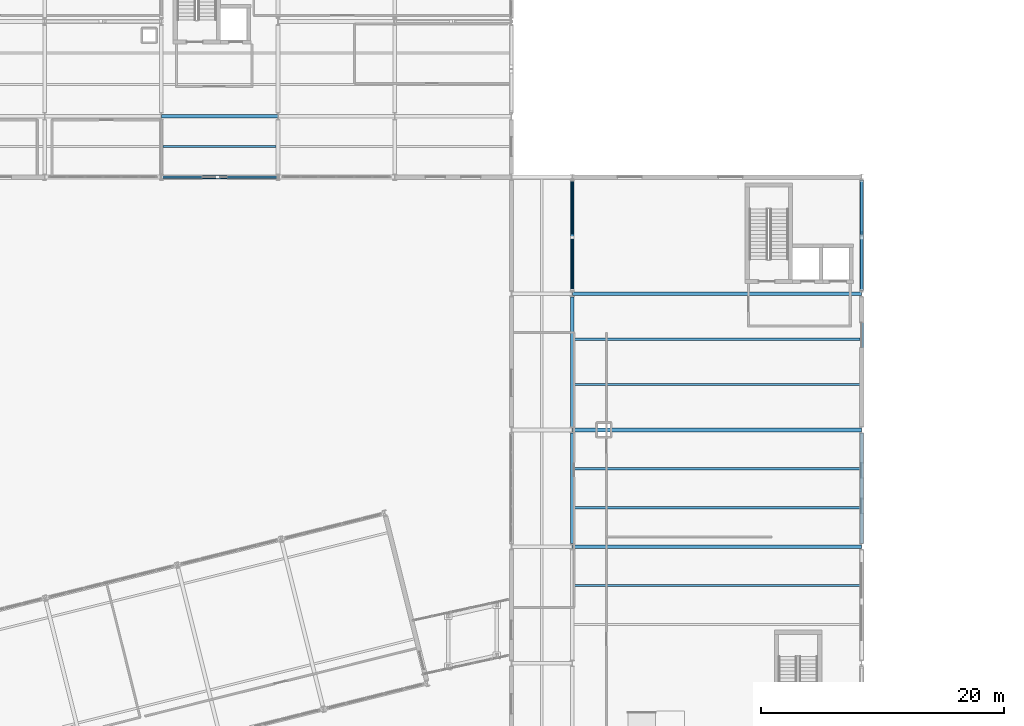
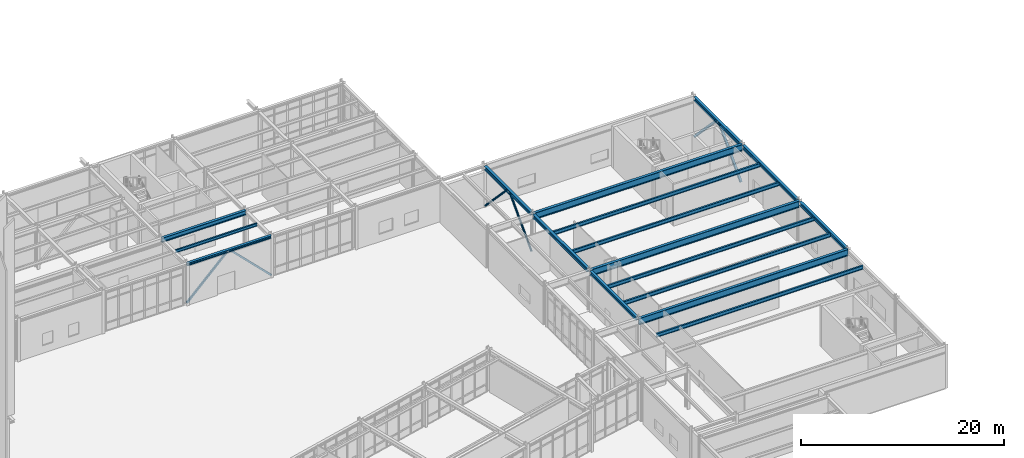
# One storey, part 60 of 109: 17 beams, 6 members.
"""IFC4 building model written with IfcOpenShell, lengths in metres."""

from ifc_helpers import new_model, si_unit, direction, frame, origin, origin_2d, place, context, subcontext, project, spatial, hollow_rectangle, hollow_circle, i_section, extrude, material, material_profile, profile_set, type_object, element, save


model = new_model("IFC4")

# Units and contexts
model_context = context("Model", 3, precision=1e-05, world=origin(), true_north=direction((0.0, 1.0)))
body_context = subcontext(model_context, "Body", "Model", "MODEL_VIEW")
ifc_project = project(units=[si_unit("LENGTHUNIT", "METRE"), si_unit("AREAUNIT", "SQUARE_METRE"), si_unit("VOLUMEUNIT", "CUBIC_METRE"), si_unit("PLANEANGLEUNIT", "RADIAN"), si_unit("MASSUNIT", "GRAM", prefix="KILO")], contexts=[model_context])

# Site, building, storey
site_placement = place(None, origin())
site = spatial("IfcSite", under=ifc_project, at=site_placement, CompositionType="ELEMENT")
building_placement = place(site_placement, origin())
building = spatial("IfcBuilding", under=site, at=building_placement, Name="Nordkorset Police Headquarters", CompositionType="ELEMENT")
storey_placement = place(building_placement, origin())
storey = spatial("IfcBuildingStorey", under=building, at=storey_placement, Name="L00", CompositionType="ELEMENT", Elevation=0.0)

# Beams
ifc_material_1 = material(Name="Steel S355J2", Category="steel")
ifc_material_profile_1 = material_profile(ifc_material_1, i_section(OverallWidth=0.169921875, OverallDepth=0.360107421875, WebThickness=0.008056640625, FlangeThickness=0.0126953125, FilletRadius=0.01806640625, at=origin_2d()), Name="IPE 360")
ifc_profile_set_1 = profile_set([ifc_material_profile_1], Name="Steel S355J2")
beam_type_1 = type_object("IfcBeamType", Name="Beam_IPE_360", PredefinedType="BEAM", material=ifc_profile_set_1)
beam_1_placement = place(storey_placement, frame((57.75, 100.10009765625, 4.820068359375), z_axis=(1.0, 0.0, 0.0), x_axis=(0.0, 1.0, 0.0)))
element("IfcBeam", 1, at=beam_1_placement, inside=storey, type_object=beam_type_1, Name="Composite Floor Beam V2 L00 3-0-1", PredefinedType="BEAM", context=body_context, shape_type="SweptSolid", body=[
    extrude(i_section(OverallWidth=0.169921875, OverallDepth=0.360107421875, WebThickness=0.008056640625, FlangeThickness=0.0126953125, FilletRadius=0.01806640625, at=origin_2d()), origin(), (0.0, 0.0, 1.0), 9.300048828125),
])
ifc_material_2 = material(Name="Steel S355J2", Category="steel")
ifc_material_profile_2 = material_profile(ifc_material_2, i_section(OverallWidth=0.18994140625, OverallDepth=0.449951171875, WebThickness=0.009521484375, FlangeThickness=0.0146484375, FilletRadius=0.02099609375, at=origin_2d()), Name="IPE 450")
ifc_profile_set_2 = profile_set([ifc_material_profile_2], Name="Steel S355J2")
beam_type_2 = type_object("IfcBeamType", Name="Beam_IPE_450", PredefinedType="BEAM", material=ifc_profile_set_2)
for number, where, z_axis, x_axis, name in (
    (2, (91.550048828125, 64.0, 4.77490234375), (1.0, 0.0, 0.0), (0.0, 1.0, 0.0), "Composite Floor Beam V5 L00 1-1-2"),
    (3, (91.550048828125, 70.39990234375, 4.77490234375), (1.0, 0.0, 0.0), (0.0, 1.0, 0.0), "Composite Floor Beam V5 L00 1-2-1"),
    (4, (91.550048828125, 73.60009765625, 4.77490234375), (1.0, 0.0, 0.0), (0.0, 1.0, 0.0), "Composite Floor Beam V5 L00 1-2-2"),
    (5, (91.550048828125, 80.533447265625, 4.77490234375), (1.0, 0.0, 0.0), (0.0, 1.0, 0.0), "Composite Floor Beam V5 L00 1-3-1"),
    (6, (91.550048828125, 84.2666015625, 4.77490234375), (1.0, 0.0, 0.0), (0.0, 1.0, 0.0), "Composite Floor Beam V5 L00 1-3-2"),
):
    element("IfcBeam", number, at=place(storey_placement, frame(where, z_axis=z_axis, x_axis=x_axis)), inside=storey, type_object=beam_type_2, Name=name, PredefinedType="BEAM", context=body_context, shape_type="SweptSolid", body=[
        extrude(i_section(OverallWidth=0.18994140625, OverallDepth=0.449951171875, WebThickness=0.009521484375, FlangeThickness=0.0146484375, FilletRadius=0.02099609375, at=origin_2d()), origin(), (0.0, 0.0, 1.0), 23.5),
    ])

# Members
ifc_material_3 = material(Name="Steel S355J2", Category="steel")
ifc_material_profile_3 = material_profile(ifc_material_3, hollow_circle(Radius=0.109619140625, WallThickness=0.010009765625, at=origin_2d()), Name="CHS 219.1x10")
ifc_profile_set_3 = profile_set([ifc_material_profile_3], Name="Steel S355J2")
member_type_1 = type_object("IfcMemberType", Name="Brace_CHS_219.1x10", PredefinedType="BRACE", material=ifc_profile_set_3)
for number, where, z_axis, x_axis, name in (
    (7, (91.39990234375, 88.25, 0.199951171875), (0.0, 0.690328973723, 0.723495617153), (-1.0, 0.0, 0.0), "Lateral Chevron Brace BF-V5-A L00 D1"),
    (8, (91.39990234375, 97.35009765625, 0.199951171875), (0.0, -0.690328973723, 0.723495617153), (1.0, 0.0, 0.0), "Lateral Chevron Brace BF-V5-A L00 D2"),
):
    element("IfcMember", number, at=place(storey_placement, frame(where, z_axis=z_axis, x_axis=x_axis)), inside=storey, type_object=member_type_1, Name=name, PredefinedType="BRACE", context=body_context, shape_type="SweptSolid", body=[
        extrude(hollow_circle(Radius=0.109619140625, WallThickness=0.010009765625, at=origin_2d()), origin(), (0.0, 0.0, 1.0), 6.33056640625),
    ])
ifc_material_4 = material(Name="Steel S355J2", Category="steel")
ifc_material_profile_4 = material_profile(ifc_material_4, hollow_rectangle(XDim=0.199951171875, YDim=0.199951171875, WallThickness=0.010009765625, InnerFilletRadius=0.010009765625, OuterFilletRadius=0.02001953125, at=origin_2d()), Name="SHS 200x200x10")
ifc_profile_set_4 = profile_set([ifc_material_profile_4], Name="Steel S355J2")
member_type_2 = type_object("IfcMemberType", Name="Brace_SHS_200x200x10", PredefinedType="BRACE", material=ifc_profile_set_4)
for number, where, z_axis, x_axis, name in (
    (9, (57.607421875, 97.60009765625, 0.199951171875), (0.709600035932, 0.0, 0.704604704075), (0.0, 1.0, 0.0), "Lateral Chevron Brace BF-EXT-V2S L00 D1"),
    (10, (67.192626953125, 97.60009765625, 0.199951171875), (-0.709600035932, 0.0, 0.704604704075), (0.0, -1.0, 0.0), "Lateral Chevron Brace BF-EXT-V2S L00 D2"),
):
    element("IfcMember", number, at=place(storey_placement, frame(where, z_axis=z_axis, x_axis=x_axis)), inside=storey, type_object=member_type_2, Name=name, PredefinedType="BRACE", context=body_context, shape_type="SweptSolid", body=[
        extrude(hollow_rectangle(XDim=0.199951171875, YDim=0.199951171875, WallThickness=0.010009765625, InnerFilletRadius=0.010009765625, OuterFilletRadius=0.02001953125, at=origin_2d()), origin(), (0.0, 0.0, 1.0), 6.500244140625),
    ])
ifc_material_5 = material(Name="Steel S355J2", Category="steel")
ifc_material_profile_5 = material_profile(ifc_material_5, hollow_rectangle(XDim=0.25, YDim=0.25, WallThickness=0.012451171875, InnerFilletRadius=0.012451171875, OuterFilletRadius=0.02490234375, at=origin_2d()), Name="SHS 250x250x12.5")
ifc_profile_set_5 = profile_set([ifc_material_profile_5], Name="Steel S355J2")
member_type_3 = type_object("IfcMemberType", Name="Brace_SHS_250x250x12.5", PredefinedType="BRACE", material=ifc_profile_set_5)
for number, where, z_axis, x_axis, name in (
    (11, (115.199951171875, 88.25, 0.199951171875), (0.0, 0.690328973723, 0.723495617153), (-1.0, 0.0, 0.0), "Lateral Chevron Brace BF-EXT-V5E4 L00 D1"),
    (12, (115.199951171875, 97.35009765625, 0.199951171875), (0.0, -0.690328973723, 0.723495617153), (1.0, 0.0, 0.0), "Lateral Chevron Brace BF-EXT-V5E4 L00 D2"),
):
    element("IfcMember", number, at=place(storey_placement, frame(where, z_axis=z_axis, x_axis=x_axis)), inside=storey, type_object=member_type_3, Name=name, PredefinedType="BRACE", context=body_context, shape_type="SweptSolid", body=[
        extrude(hollow_rectangle(XDim=0.25, YDim=0.25, WallThickness=0.012451171875, InnerFilletRadius=0.012451171875, OuterFilletRadius=0.02490234375, at=origin_2d()), origin(), (0.0, 0.0, 1.0), 6.33056640625),
    ])

# Beams
ifc_material_6 = material(Name="Steel S355J2", Category="steel")
ifc_material_profile_6 = material_profile(ifc_material_6, i_section(OverallWidth=0.300048828125, OverallDepth=0.43994140625, WebThickness=0.011474609375, FlangeThickness=0.02099609375, FilletRadius=0.027099609375, at=origin_2d()), Name="HEA 450")
ifc_profile_set_6 = profile_set([ifc_material_profile_6], Name="Steel S355J2")
beam_type_3 = type_object("IfcBeamType", Name="Girder_HEA_450", PredefinedType="USERDEFINED", material=ifc_profile_set_6)
beam_2_placement = place(storey_placement, frame((91.39990234375, 67.449951171875, 4.780029296875), z_axis=(0.0, 1.0, 0.0), x_axis=(-1.0, 0.0, 0.0)))
element("IfcBeam", 13, at=beam_2_placement, inside=storey, type_object=beam_type_3, Name="Girder V5 L00 GY-1-2", ObjectType="GIRDER", PredefinedType="USERDEFINED", context=body_context, shape_type="SweptSolid", body=[
    extrude(i_section(OverallWidth=0.300048828125, OverallDepth=0.43994140625, WebThickness=0.011474609375, FlangeThickness=0.02099609375, FilletRadius=0.027099609375, at=origin_2d()), origin(), (0.0, 0.0, 1.0), 9.10009765625),
])
beam_3_placement = place(storey_placement, frame((91.39990234375, 77.050048828125, 4.780029296875), z_axis=(0.0, 1.0, 0.0), x_axis=(-1.0, 0.0, 0.0)))
element("IfcBeam", 14, at=beam_3_placement, inside=storey, type_object=beam_type_3, Name="Girder V5 L00 GY-1-3", ObjectType="GIRDER", PredefinedType="USERDEFINED", context=body_context, shape_type="SweptSolid", body=[
    extrude(i_section(OverallWidth=0.300048828125, OverallDepth=0.43994140625, WebThickness=0.011474609375, FlangeThickness=0.02099609375, FilletRadius=0.027099609375, at=origin_2d()), origin(), (0.0, 0.0, 1.0), 10.699951171875),
])
for number, where, z_axis, x_axis, name in (
    (15, (91.39990234375, 88.25, 4.780029296875), (0.0, 1.0, 0.0), (-1.0, 0.0, 0.0), "Girder V5 L00 GY-1-4"),
    (16, (115.199951171875, 67.449951171875, 4.780029296875), (0.0, 1.0, 0.0), (-1.0, 0.0, 0.0), "Girder V5 L00 GY-2-2"),
):
    element("IfcBeam", number, at=place(storey_placement, frame(where, z_axis=z_axis, x_axis=x_axis)), inside=storey, type_object=beam_type_3, Name=name, ObjectType="GIRDER", PredefinedType="USERDEFINED", context=body_context, shape_type="SweptSolid", body=[
        extrude(i_section(OverallWidth=0.300048828125, OverallDepth=0.43994140625, WebThickness=0.011474609375, FlangeThickness=0.02099609375, FilletRadius=0.027099609375, at=origin_2d()), origin(), (0.0, 0.0, 1.0), 9.10009765625),
    ])
beam_4_placement = place(storey_placement, frame((115.199951171875, 77.050048828125, 4.780029296875), z_axis=(0.0, 1.0, 0.0), x_axis=(-1.0, 0.0, 0.0)))
element("IfcBeam", 17, at=beam_4_placement, inside=storey, type_object=beam_type_3, Name="Girder V5 L00 GY-2-3", ObjectType="GIRDER", PredefinedType="USERDEFINED", context=body_context, shape_type="SweptSolid", body=[
    extrude(i_section(OverallWidth=0.300048828125, OverallDepth=0.43994140625, WebThickness=0.011474609375, FlangeThickness=0.02099609375, FilletRadius=0.027099609375, at=origin_2d()), origin(), (0.0, 0.0, 1.0), 10.699951171875),
])
beam_5_placement = place(storey_placement, frame((115.199951171875, 88.25, 4.780029296875), z_axis=(0.0, 1.0, 0.0), x_axis=(-1.0, 0.0, 0.0)))
element("IfcBeam", 18, at=beam_5_placement, inside=storey, type_object=beam_type_3, Name="Girder V5 L00 GY-2-4", ObjectType="GIRDER", PredefinedType="USERDEFINED", context=body_context, shape_type="SweptSolid", body=[
    extrude(i_section(OverallWidth=0.300048828125, OverallDepth=0.43994140625, WebThickness=0.011474609375, FlangeThickness=0.02099609375, FilletRadius=0.027099609375, at=origin_2d()), origin(), (0.0, 0.0, 1.0), 9.10009765625),
])
ifc_material_7 = material(Name="Steel S355J2", Category="steel")
ifc_material_profile_7 = material_profile(ifc_material_7, i_section(OverallWidth=0.300048828125, OverallDepth=0.5400390625, WebThickness=0.012451171875, FlangeThickness=0.02392578125, FilletRadius=0.027099609375, at=origin_2d()), Name="HEA 550")
ifc_profile_set_7 = profile_set([ifc_material_profile_7], Name="Steel S355J2")
beam_type_4 = type_object("IfcBeamType", Name="Girder_HEA_550", PredefinedType="USERDEFINED", material=ifc_profile_set_7)
beam_6_placement = place(storey_placement, frame((57.607666015625, 102.60009765625, 4.72998046875), z_axis=(1.0, 0.0, 0.0), x_axis=(0.0, 1.0, 0.0)))
element("IfcBeam", 19, at=beam_6_placement, inside=storey, type_object=beam_type_4, Name="Girder V2 L00 GX-1-3", ObjectType="GIRDER", PredefinedType="USERDEFINED", context=body_context, shape_type="SweptSolid", body=[
    extrude(i_section(OverallWidth=0.300048828125, OverallDepth=0.5400390625, WebThickness=0.012451171875, FlangeThickness=0.02392578125, FilletRadius=0.027099609375, at=origin_2d()), origin(), (0.0, 0.0, 1.0), 9.584716796875),
])
ifc_material_8 = material(Name="Steel S355J2", Category="steel")
ifc_material_profile_8 = material_profile(ifc_material_8, i_section(OverallWidth=0.300048828125, OverallDepth=0.800048828125, WebThickness=0.017578125, FlangeThickness=0.032958984375, FilletRadius=0.030029296875, at=origin_2d()), Name="HEB 800")
ifc_profile_set_8 = profile_set([ifc_material_profile_8], Name="Steel S355J2")
beam_type_5 = type_object("IfcBeamType", Name="Girder_HEB_800", PredefinedType="USERDEFINED", material=ifc_profile_set_8)
for number, where, z_axis, x_axis, name in (
    (20, (91.4072265625, 67.199951171875, 4.60009765625), (1.0, 0.0, 0.0), (0.0, 1.0, 0.0), "Girder V5 L00 GX-2-1"),
    (21, (91.4072265625, 76.800048828125, 4.60009765625), (1.0, 0.0, 0.0), (0.0, 1.0, 0.0), "Girder V5 L00 GX-3-1"),
    (22, (91.4072265625, 88.0, 4.60009765625), (1.0, 0.0, 0.0), (0.0, 1.0, 0.0), "Girder V5 L00 GX-4-1"),
):
    element("IfcBeam", number, at=place(storey_placement, frame(where, z_axis=z_axis, x_axis=x_axis)), inside=storey, type_object=beam_type_5, Name=name, ObjectType="GIRDER", PredefinedType="USERDEFINED", context=body_context, shape_type="SweptSolid", body=[
        extrude(i_section(OverallWidth=0.300048828125, OverallDepth=0.800048828125, WebThickness=0.017578125, FlangeThickness=0.032958984375, FilletRadius=0.030029296875, at=origin_2d()), origin(), (0.0, 0.0, 1.0), 23.785400390625),
    ])
ifc_material_9 = material(Name="Steel S355J2", Category="steel")
ifc_material_profile_9 = material_profile(ifc_material_9, i_section(OverallWidth=0.300048828125, OverallDepth=0.31005859375, WebThickness=0.009033203125, FlangeThickness=0.015380859375, FilletRadius=0.027099609375, at=origin_2d()), Name="HEA 320")
ifc_profile_set_9 = profile_set([ifc_material_profile_9], Name="Steel S355J2")
beam_type_6 = type_object("IfcBeamType", Name="Spandrel_HEA_320", PredefinedType="SPANDREL", material=ifc_profile_set_9)
beam_7_placement = place(storey_placement, frame((57.607421875, 97.60009765625, 4.844970703125), z_axis=(1.0, 0.0, 0.0), x_axis=(0.0, 1.0, 0.0)))
element("IfcBeam", 23, at=beam_7_placement, inside=storey, type_object=beam_type_6, Name="Girder V2 L00 GX-0-3", PredefinedType="SPANDREL", context=body_context, shape_type="SweptSolid", body=[
    extrude(i_section(OverallWidth=0.300048828125, OverallDepth=0.31005859375, WebThickness=0.009033203125, FlangeThickness=0.015380859375, FilletRadius=0.027099609375, at=origin_2d()), origin(), (0.0, 0.0, 1.0), 9.585205078125),
])

save(model, "model.ifc")
